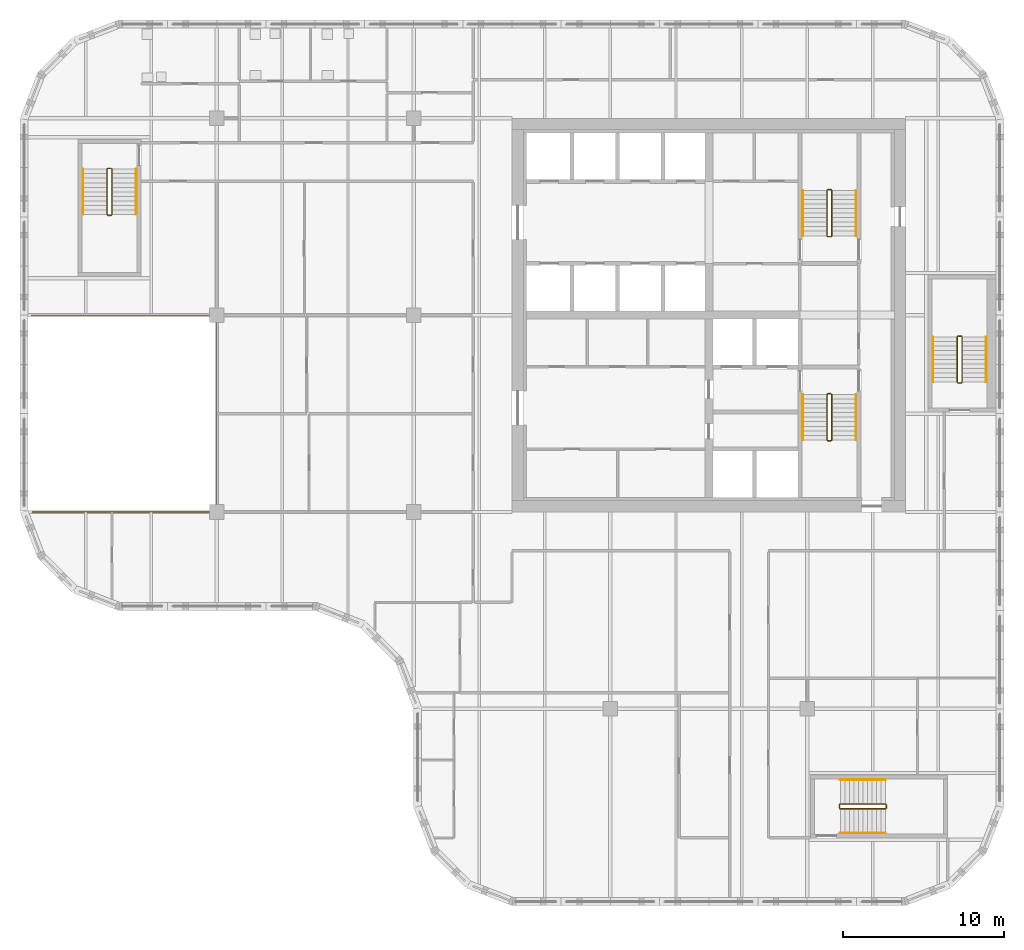
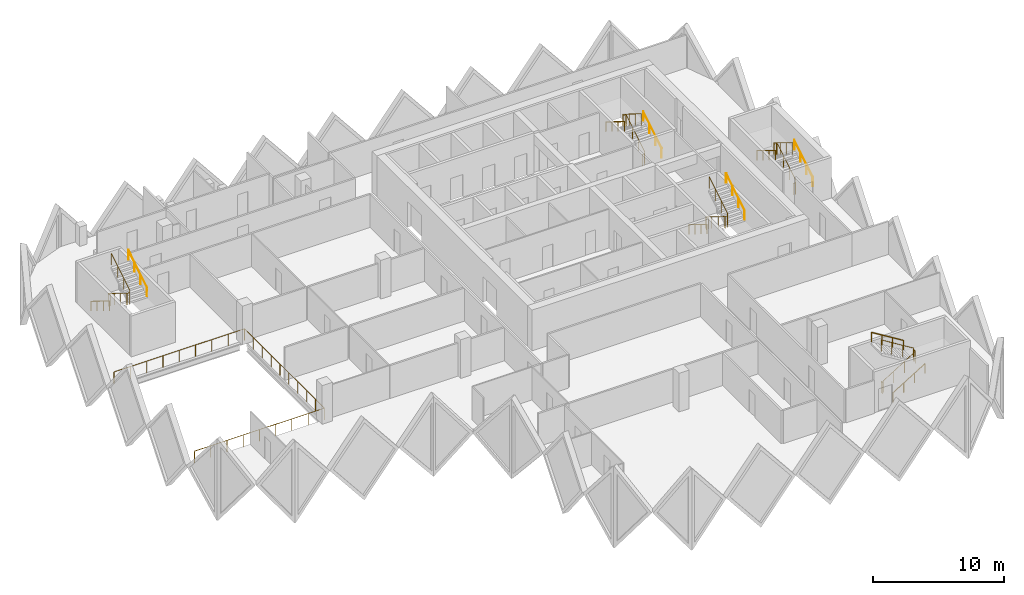
# One storey, part 12 of 13: 16 railings.
"""IFC4 building model written with IfcOpenShell, lengths in metres."""

from ifc_helpers import new_model, si_unit, direction, frame, origin, origin_2d, place, context, subcontext, project, spatial, circle, extrude, material, type_object, element, save


model = new_model("IFC4")

# Units and contexts
model_context = context("Model", 3, precision=1e-05, world=origin(), true_north=direction((0.0, 1.0)))
body_context = subcontext(model_context, "Body", "Model", "MODEL_VIEW")
ifc_project = project(units=[si_unit("LENGTHUNIT", "METRE"), si_unit("AREAUNIT", "SQUARE_METRE"), si_unit("VOLUMEUNIT", "CUBIC_METRE"), si_unit("PLANEANGLEUNIT", "RADIAN"), si_unit("MASSUNIT", "GRAM", prefix="KILO")], contexts=[model_context])

# Site, building, storey
site_placement = place(None, origin())
site = spatial("IfcSite", under=ifc_project, at=site_placement, CompositionType="ELEMENT")
building_placement = place(site_placement, origin())
building = spatial("IfcBuilding", under=site, at=building_placement, Name="Tessera Gate Towers", CompositionType="ELEMENT")
storey_placement = place(building_placement, frame((0.0, 0.0, 120.199951171875)))
storey = spatial("IfcBuildingStorey", under=building, at=storey_placement, Name="L29", CompositionType="ELEMENT", Elevation=120.199951171875)

# Railings
ifc_material_1 = material(Name="Toughened glass with stainless steel handrail", Category="steel")
railing_type_1 = type_object("IfcRailingType", Name="GUARD 1100 GLASS BALUSTRADE", PredefinedType="GUARDRAIL", material=ifc_material_1)
railing_1_placement = place(storey_placement, frame((0.750244140625, 24.39990234375, 0.0)))
element("IfcRailing", 1, at=railing_1_placement, inside=storey, type_object=railing_type_1, Name="Guard", PredefinedType="GUARDRAIL", context=body_context, shape_type="SweptSolid", body=[
    extrude(circle(Radius=0.02490234375, at=origin_2d()), frame((0.0, 0.0, 1.0751953125), z_axis=(1.0, 0.0, 0.0), x_axis=(0.0, 1.0, 0.0)), (0.0, 0.0, 1.0), 11.44970703125),
    extrude(circle(Radius=0.02490234375, at=origin_2d()), frame((11.44970703125, 0.0, 1.0751953125), z_axis=(0.0, 1.0, 0.0), x_axis=(-1.0, 0.0, 0.0)), (0.0, 0.0, 1.0), 12.2001953125),
    extrude(circle(Radius=0.02490234375, at=origin_2d()), frame((11.44970703125, 12.2001953125, 1.0751953125), z_axis=(-1.0, 0.0, 0.0), x_axis=(0.0, -1.0, 0.0)), (0.0, 0.0, 1.0), 11.5),
    extrude(circle(Radius=0.02490234375, at=origin_2d()), origin(), (0.0, 0.0, 1.0), 1.050048828125),
    extrude(circle(Radius=0.02490234375, at=origin_2d()), frame((1.43115234375, 0.0, 0.0)), (0.0, 0.0, 1.0), 1.050048828125),
    extrude(circle(Radius=0.02490234375, at=origin_2d()), frame((2.8623046875, 0.0, 0.0)), (0.0, 0.0, 1.0), 1.050048828125),
    extrude(circle(Radius=0.02490234375, at=origin_2d()), frame((4.293701171875, 0.0, 0.0)), (0.0, 0.0, 1.0), 1.050048828125),
    extrude(circle(Radius=0.02490234375, at=origin_2d()), frame((5.724853515625, 0.0, 0.0)), (0.0, 0.0, 1.0), 1.050048828125),
    extrude(circle(Radius=0.02490234375, at=origin_2d()), frame((7.156005859375, 0.0, 0.0)), (0.0, 0.0, 1.0), 1.050048828125),
    extrude(circle(Radius=0.02490234375, at=origin_2d()), frame((8.58740234375, 0.0, 0.0)), (0.0, 0.0, 1.0), 1.050048828125),
    extrude(circle(Radius=0.02490234375, at=origin_2d()), frame((10.0185546875, 0.0, 0.0)), (0.0, 0.0, 1.0), 1.050048828125),
    extrude(circle(Radius=0.02490234375, at=origin_2d()), frame((11.44970703125, 0.0, 0.0)), (0.0, 0.0, 1.0), 1.050048828125),
    extrude(circle(Radius=0.02490234375, at=origin_2d()), frame((11.44970703125, 1.35546875, 0.0)), (0.0, 0.0, 1.0), 1.050048828125),
    extrude(circle(Radius=0.02490234375, at=origin_2d()), frame((11.44970703125, 2.711181640625, 0.0)), (0.0, 0.0, 1.0), 1.050048828125),
    extrude(circle(Radius=0.02490234375, at=origin_2d()), frame((11.44970703125, 4.066650390625, 0.0)), (0.0, 0.0, 1.0), 1.050048828125),
    extrude(circle(Radius=0.02490234375, at=origin_2d()), frame((11.44970703125, 5.42236328125, 0.0)), (0.0, 0.0, 1.0), 1.050048828125),
    extrude(circle(Radius=0.02490234375, at=origin_2d()), frame((11.44970703125, 6.77783203125, 0.0)), (0.0, 0.0, 1.0), 1.050048828125),
    extrude(circle(Radius=0.02490234375, at=origin_2d()), frame((11.44970703125, 8.133544921875, 0.0)), (0.0, 0.0, 1.0), 1.050048828125),
    extrude(circle(Radius=0.02490234375, at=origin_2d()), frame((11.44970703125, 9.489013671875, 0.0)), (0.0, 0.0, 1.0), 1.050048828125),
    extrude(circle(Radius=0.02490234375, at=origin_2d()), frame((11.44970703125, 10.8447265625, 0.0)), (0.0, 0.0, 1.0), 1.050048828125),
    extrude(circle(Radius=0.02490234375, at=origin_2d()), frame((11.44970703125, 12.2001953125, 0.0)), (0.0, 0.0, 1.0), 1.050048828125),
    extrude(circle(Radius=0.02490234375, at=origin_2d()), frame((10.01220703125, 12.2001953125, 0.0)), (0.0, 0.0, 1.0), 1.050048828125),
    extrude(circle(Radius=0.02490234375, at=origin_2d()), frame((8.57470703125, 12.2001953125, 0.0)), (0.0, 0.0, 1.0), 1.050048828125),
    extrude(circle(Radius=0.02490234375, at=origin_2d()), frame((7.13720703125, 12.2001953125, 0.0)), (0.0, 0.0, 1.0), 1.050048828125),
    extrude(circle(Radius=0.02490234375, at=origin_2d()), frame((5.69970703125, 12.2001953125, 0.0)), (0.0, 0.0, 1.0), 1.050048828125),
    extrude(circle(Radius=0.02490234375, at=origin_2d()), frame((4.26220703125, 12.2001953125, 0.0)), (0.0, 0.0, 1.0), 1.050048828125),
    extrude(circle(Radius=0.02490234375, at=origin_2d()), frame((2.82470703125, 12.2001953125, 0.0)), (0.0, 0.0, 1.0), 1.050048828125),
    extrude(circle(Radius=0.02490234375, at=origin_2d()), frame((1.38720703125, 12.2001953125, 0.0)), (0.0, 0.0, 1.0), 1.050048828125),
    extrude(circle(Radius=0.02490234375, at=origin_2d()), frame((-0.05029296875, 12.2001953125, 0.0)), (0.0, 0.0, 1.0), 1.050048828125),
])
ifc_material_2 = material(Name="Steel 350W", Category="steel")
railing_type_2 = type_object("IfcRailingType", Name="STAIR GUARD 1100", PredefinedType="GUARDRAIL", material=ifc_material_2)
railing_2_placement = place(storey_placement, frame((50.27490234375, 31.72509765625, 0.0)))
element("IfcRailing", 2, at=railing_2_placement, inside=storey, type_object=railing_type_2, Name="L29 ST1 stair guard 1", PredefinedType="GUARDRAIL", context=body_context, shape_type="SweptSolid", body=[
    extrude(circle(Radius=0.02392578125, at=origin_2d()), frame((0.0, 0.0, 1.076171875), z_axis=(-1.0, 0.0, 0.0), x_axis=(0.0, -1.0, 0.0)), (0.0, 0.0, 1.0), 0.199951171875),
    extrude(circle(Radius=0.02392578125, at=origin_2d()), frame((-0.199951171875, 0.0, 1.076171875), z_axis=(-0.267953482034, -0.267953482034, 0.925419830635), x_axis=(0.707106781187, -0.707106781187, 0.0)), (0.0, 0.0, 1.0), 0.186767578125),
    extrude(circle(Radius=0.02392578125, at=origin_2d()), frame((-0.25, -0.050048828125, 1.2490234375), z_axis=(0.0, -0.851089632645, 0.525020415988), x_axis=(1.0, 0.0, 0.0)), (0.0, 0.0, 1.0), 3.2900390625),
    extrude(circle(Radius=0.02392578125, at=origin_2d()), frame((-0.25, -2.85009765625, 2.97607421875), z_axis=(0.707106781187, -0.707106781187, 0.0), x_axis=(0.707106781187, 0.707106781187, 0.0)), (0.0, 0.0, 1.0), 0.07080078125),
    extrude(circle(Radius=0.02392578125, at=origin_2d()), frame((-0.199951171875, -2.900146484375, 2.97607421875), z_axis=(1.0, 0.0, 0.0), x_axis=(0.0, 1.0, 0.0)), (0.0, 0.0, 1.0), 0.199951171875),
    extrude(circle(Radius=0.02392578125, at=origin_2d()), frame((0.0, -2.900146484375, 2.97607421875), z_axis=(0.268277960024, 0.268277960024, 0.925231793839), x_axis=(-0.707106781187, 0.707106781187, 0.0)), (0.0, 0.0, 1.0), 0.1865234375),
    extrude(circle(Radius=0.02392578125, at=origin_2d()), frame((0.050048828125, -2.85009765625, 3.14892578125), z_axis=(0.0, 0.851089632645, 0.525020415988), x_axis=(-1.0, 0.0, 0.0)), (0.0, 0.0, 1.0), 3.2900390625),
    extrude(circle(Radius=0.02099609375, at=origin_2d()), origin(), (0.0, 0.0, 1.0), 1.052001953125),
    extrude(circle(Radius=0.02099609375, at=origin_2d()), frame((-0.199951171875, 0.0, 0.0)), (0.0, 0.0, 1.0), 1.052001953125),
    extrude(circle(Radius=0.02099609375, at=origin_2d()), frame((-0.25, -0.050048828125, 0.1728515625)), (0.0, 0.0, 1.0), 1.052001953125),
    extrude(circle(Radius=0.02099609375, at=origin_2d()), frame((-0.25, -0.9833984375, 0.74853515625)), (0.0, 0.0, 1.0), 1.052001953125),
    extrude(circle(Radius=0.02099609375, at=origin_2d()), frame((-0.25, -1.916748046875, 1.324462890625)), (0.0, 0.0, 1.0), 1.052001953125),
    extrude(circle(Radius=0.02099609375, at=origin_2d()), frame((-0.25, -2.85009765625, 1.900146484375)), (0.0, 0.0, 1.0), 1.052001953125),
    extrude(circle(Radius=0.02099609375, at=origin_2d()), frame((-0.199951171875, -2.900146484375, 1.900146484375)), (0.0, 0.0, 1.0), 1.052001953125),
    extrude(circle(Radius=0.02099609375, at=origin_2d()), frame((0.0, -2.900146484375, 1.900146484375)), (0.0, 0.0, 1.0), 1.052001953125),
    extrude(circle(Radius=0.02099609375, at=origin_2d()), frame((0.050048828125, -2.85009765625, 2.07275390625)), (0.0, 0.0, 1.0), 1.052001953125),
    extrude(circle(Radius=0.02099609375, at=origin_2d()), frame((0.050048828125, -1.916748046875, 2.6484375)), (0.0, 0.0, 1.0), 1.052001953125),
    extrude(circle(Radius=0.02099609375, at=origin_2d()), frame((0.050048828125, -0.9833984375, 3.224365234375)), (0.0, 0.0, 1.0), 1.052001953125),
    extrude(circle(Radius=0.02099609375, at=origin_2d()), frame((0.050048828125, -0.050048828125, 3.800048828125)), (0.0, 0.0, 1.0), 1.052001953125),
])
railing_3_placement = place(storey_placement, frame((50.074951171875, 41.47509765625, 0.0)))
element("IfcRailing", 3, at=railing_3_placement, inside=storey, type_object=railing_type_2, Name="L29 ST2 stair guard 1", PredefinedType="GUARDRAIL", context=body_context, shape_type="SweptSolid", body=[
    extrude(circle(Radius=0.02392578125, at=origin_2d()), frame((0.0, 0.0, 1.076171875), z_axis=(1.0, 0.0, 0.0), x_axis=(0.0, 1.0, 0.0)), (0.0, 0.0, 1.0), 0.199951171875),
    extrude(circle(Radius=0.02392578125, at=origin_2d()), frame((0.199951171875, 0.0, 1.076171875), z_axis=(0.268047150085, 0.266739603011, 0.925743328097), x_axis=(-0.705375805398, 0.708833529934, 0.0)), (0.0, 0.0, 1.0), 0.186767578125),
    extrude(circle(Radius=0.02392578125, at=origin_2d()), frame((0.25, 0.0498046875, 1.2490234375), z_axis=(0.0, 0.851089632645, 0.525020415988), x_axis=(-1.0, 0.0, 0.0)), (0.0, 0.0, 1.0), 3.2900390625),
    extrude(circle(Radius=0.02392578125, at=origin_2d()), frame((0.25, 2.849853515625, 2.97607421875), z_axis=(-0.707106781187, 0.707106781187, 0.0), x_axis=(-0.707106781187, -0.707106781187, 0.0)), (0.0, 0.0, 1.0), 0.07080078125),
    extrude(circle(Radius=0.02392578125, at=origin_2d()), frame((0.199951171875, 2.89990234375, 2.97607421875), z_axis=(-1.0, 0.0, 0.0), x_axis=(0.0, -1.0, 0.0)), (0.0, 0.0, 1.0), 0.199951171875),
    extrude(circle(Radius=0.02392578125, at=origin_2d()), frame((0.0, 2.89990234375, 2.97607421875), z_axis=(-0.268277960024, -0.268277960024, 0.925231793839), x_axis=(0.707106781187, -0.707106781187, 0.0)), (0.0, 0.0, 1.0), 0.1865234375),
    extrude(circle(Radius=0.02392578125, at=origin_2d()), frame((-0.050048828125, 2.849853515625, 3.14892578125), z_axis=(0.0, -0.851089632645, 0.525020415988), x_axis=(1.0, 0.0, 0.0)), (0.0, 0.0, 1.0), 3.2900390625),
    extrude(circle(Radius=0.02099609375, at=origin_2d()), origin(), (0.0, 0.0, 1.0), 1.052001953125),
    extrude(circle(Radius=0.02099609375, at=origin_2d()), frame((0.199951171875, 0.0, 0.0)), (0.0, 0.0, 1.0), 1.052001953125),
    extrude(circle(Radius=0.02099609375, at=origin_2d()), frame((0.25, 0.0498046875, 0.1728515625)), (0.0, 0.0, 1.0), 1.052001953125),
    extrude(circle(Radius=0.02099609375, at=origin_2d()), frame((0.25, 0.983154296875, 0.74853515625)), (0.0, 0.0, 1.0), 1.052001953125),
    extrude(circle(Radius=0.02099609375, at=origin_2d()), frame((0.25, 1.91650390625, 1.324462890625)), (0.0, 0.0, 1.0), 1.052001953125),
    extrude(circle(Radius=0.02099609375, at=origin_2d()), frame((0.25, 2.849853515625, 1.900146484375)), (0.0, 0.0, 1.0), 1.052001953125),
    extrude(circle(Radius=0.02099609375, at=origin_2d()), frame((0.199951171875, 2.89990234375, 1.900146484375)), (0.0, 0.0, 1.0), 1.052001953125),
    extrude(circle(Radius=0.02099609375, at=origin_2d()), frame((0.0, 2.89990234375, 1.900146484375)), (0.0, 0.0, 1.0), 1.052001953125),
    extrude(circle(Radius=0.02099609375, at=origin_2d()), frame((-0.050048828125, 2.849853515625, 2.07275390625)), (0.0, 0.0, 1.0), 1.052001953125),
    extrude(circle(Radius=0.02099609375, at=origin_2d()), frame((-0.050048828125, 1.91650390625, 2.6484375)), (0.0, 0.0, 1.0), 1.052001953125),
    extrude(circle(Radius=0.02099609375, at=origin_2d()), frame((-0.050048828125, 0.983154296875, 3.224365234375)), (0.0, 0.0, 1.0), 1.052001953125),
    extrude(circle(Radius=0.02099609375, at=origin_2d()), frame((-0.050048828125, 0.0498046875, 3.800048828125)), (0.0, 0.0, 1.0), 1.052001953125),
])
railing_4_placement = place(storey_placement, frame((5.64990234375, 45.699951171875, 0.0)))
element("IfcRailing", 4, at=railing_4_placement, inside=storey, type_object=railing_type_2, Name="L29 ST3 stair guard 1", PredefinedType="GUARDRAIL", context=body_context, shape_type="SweptSolid", body=[
    extrude(circle(Radius=0.02392578125, at=origin_2d()), frame((0.0, 0.0, 1.076171875), z_axis=(-1.0, 0.0, 0.0), x_axis=(0.0, -1.0, 0.0)), (0.0, 0.0, 1.0), 0.199951171875),
    extrude(circle(Radius=0.02392578125, at=origin_2d()), frame((-0.199951171875, 0.0, 1.076171875), z_axis=(-0.267953482034, -0.267953482034, 0.925419830635), x_axis=(0.707106781187, -0.707106781187, 0.0)), (0.0, 0.0, 1.0), 0.186767578125),
    extrude(circle(Radius=0.02392578125, at=origin_2d()), frame((-0.25, -0.050048828125, 1.2490234375), z_axis=(0.0, -0.851069175582, 0.525053576669), x_axis=(1.0, 0.0, 0.0)), (0.0, 0.0, 1.0), 3.289794921875),
    extrude(circle(Radius=0.02392578125, at=origin_2d()), frame((-0.25, -2.849853515625, 2.97607421875), z_axis=(0.707106781187, -0.707106781187, 0.0), x_axis=(0.707106781187, 0.707106781187, 0.0)), (0.0, 0.0, 1.0), 0.07080078125),
    extrude(circle(Radius=0.02392578125, at=origin_2d()), frame((-0.199951171875, -2.89990234375, 2.97607421875), z_axis=(1.0, 0.0, 0.0), x_axis=(0.0, 1.0, 0.0)), (0.0, 0.0, 1.0), 0.199951171875),
    extrude(circle(Radius=0.02392578125, at=origin_2d()), frame((0.0, -2.89990234375, 2.97607421875), z_axis=(0.268277960024, 0.268277960024, 0.925231793839), x_axis=(-0.707106781187, 0.707106781187, 0.0)), (0.0, 0.0, 1.0), 0.1865234375),
    extrude(circle(Radius=0.02392578125, at=origin_2d()), frame((0.050048828125, -2.849853515625, 3.14892578125), z_axis=(0.0, 0.851069175582, 0.525053576669), x_axis=(-1.0, 0.0, 0.0)), (0.0, 0.0, 1.0), 3.289794921875),
    extrude(circle(Radius=0.02099609375, at=origin_2d()), origin(), (0.0, 0.0, 1.0), 1.052001953125),
    extrude(circle(Radius=0.02099609375, at=origin_2d()), frame((-0.199951171875, 0.0, 0.0)), (0.0, 0.0, 1.0), 1.052001953125),
    extrude(circle(Radius=0.02099609375, at=origin_2d()), frame((-0.25, -0.050048828125, 0.1728515625)), (0.0, 0.0, 1.0), 1.052001953125),
    extrude(circle(Radius=0.02099609375, at=origin_2d()), frame((-0.25, -0.9833984375, 0.74853515625)), (0.0, 0.0, 1.0), 1.052001953125),
    extrude(circle(Radius=0.02099609375, at=origin_2d()), frame((-0.25, -1.91650390625, 1.324462890625)), (0.0, 0.0, 1.0), 1.052001953125),
    extrude(circle(Radius=0.02099609375, at=origin_2d()), frame((-0.25, -2.849853515625, 1.900146484375)), (0.0, 0.0, 1.0), 1.052001953125),
    extrude(circle(Radius=0.02099609375, at=origin_2d()), frame((-0.199951171875, -2.89990234375, 1.900146484375)), (0.0, 0.0, 1.0), 1.052001953125),
    extrude(circle(Radius=0.02099609375, at=origin_2d()), frame((0.0, -2.89990234375, 1.900146484375)), (0.0, 0.0, 1.0), 1.052001953125),
    extrude(circle(Radius=0.02099609375, at=origin_2d()), frame((0.050048828125, -2.849853515625, 2.07275390625)), (0.0, 0.0, 1.0), 1.052001953125),
    extrude(circle(Radius=0.02099609375, at=origin_2d()), frame((0.050048828125, -1.91650390625, 2.6484375)), (0.0, 0.0, 1.0), 1.052001953125),
    extrude(circle(Radius=0.02099609375, at=origin_2d()), frame((0.050048828125, -0.9833984375, 3.224365234375)), (0.0, 0.0, 1.0), 1.052001953125),
    extrude(circle(Radius=0.02099609375, at=origin_2d()), frame((0.050048828125, -0.050048828125, 3.800048828125)), (0.0, 0.0, 1.0), 1.052001953125),
])
railing_5_placement = place(storey_placement, frame((50.800048828125, 6.25, 0.0)))
element("IfcRailing", 5, at=railing_5_placement, inside=storey, type_object=railing_type_2, Name="L29 ST4 stair guard 1", PredefinedType="GUARDRAIL", context=body_context, shape_type="SweptSolid", body=[
    extrude(circle(Radius=0.02392578125, at=origin_2d()), frame((0.0, 0.0, 1.076171875), z_axis=(0.0, -1.0, 0.0), x_axis=(1.0, 0.0, 0.0)), (0.0, 0.0, 1.0), 0.199951171875),
    extrude(circle(Radius=0.02392578125, at=origin_2d()), frame((0.0, -0.199951171875, 1.076171875), z_axis=(0.267953482034, -0.267953482034, 0.925419830635), x_axis=(0.707106781187, 0.707106781187, 0.0)), (0.0, 0.0, 1.0), 0.186767578125),
    extrude(circle(Radius=0.02392578125, at=origin_2d()), frame((0.050048828125, -0.25, 1.2490234375), z_axis=(0.851069175582, 0.0, 0.525053576669), x_axis=(0.0, 1.0, 0.0)), (0.0, 0.0, 1.0), 3.289794921875),
    extrude(circle(Radius=0.02392578125, at=origin_2d()), frame((2.849853515625, -0.25, 2.97607421875), z_axis=(0.707106781187, 0.707106781187, 0.0), x_axis=(-0.707106781187, 0.707106781187, 0.0)), (0.0, 0.0, 1.0), 0.07080078125),
    extrude(circle(Radius=0.02392578125, at=origin_2d()), frame((2.89990234375, -0.199951171875, 2.97607421875), z_axis=(0.0, 1.0, 0.0), x_axis=(-1.0, 0.0, 0.0)), (0.0, 0.0, 1.0), 0.199951171875),
    extrude(circle(Radius=0.02392578125, at=origin_2d()), frame((2.89990234375, 0.0, 2.97607421875), z_axis=(-0.268277960024, 0.268277960024, 0.925231793839), x_axis=(-0.707106781187, -0.707106781187, 0.0)), (0.0, 0.0, 1.0), 0.1865234375),
    extrude(circle(Radius=0.02392578125, at=origin_2d()), frame((2.849853515625, 0.050048828125, 3.14892578125), z_axis=(-0.851069175582, 0.0, 0.525053576669), x_axis=(0.0, -1.0, 0.0)), (0.0, 0.0, 1.0), 3.289794921875),
    extrude(circle(Radius=0.02099609375, at=origin_2d()), origin(), (0.0, 0.0, 1.0), 1.052001953125),
    extrude(circle(Radius=0.02099609375, at=origin_2d()), frame((0.0, -0.199951171875, 0.0)), (0.0, 0.0, 1.0), 1.052001953125),
    extrude(circle(Radius=0.02099609375, at=origin_2d()), frame((0.050048828125, -0.25, 0.1728515625)), (0.0, 0.0, 1.0), 1.052001953125),
    extrude(circle(Radius=0.02099609375, at=origin_2d()), frame((0.9833984375, -0.25, 0.74853515625)), (0.0, 0.0, 1.0), 1.052001953125),
    extrude(circle(Radius=0.02099609375, at=origin_2d()), frame((1.91650390625, -0.25, 1.324462890625)), (0.0, 0.0, 1.0), 1.052001953125),
    extrude(circle(Radius=0.02099609375, at=origin_2d()), frame((2.849853515625, -0.25, 1.900146484375)), (0.0, 0.0, 1.0), 1.052001953125),
    extrude(circle(Radius=0.02099609375, at=origin_2d()), frame((2.89990234375, -0.199951171875, 1.900146484375)), (0.0, 0.0, 1.0), 1.052001953125),
    extrude(circle(Radius=0.02099609375, at=origin_2d()), frame((2.89990234375, 0.0, 1.900146484375)), (0.0, 0.0, 1.0), 1.052001953125),
    extrude(circle(Radius=0.02099609375, at=origin_2d()), frame((2.849853515625, 0.050048828125, 2.07275390625)), (0.0, 0.0, 1.0), 1.052001953125),
    extrude(circle(Radius=0.02099609375, at=origin_2d()), frame((1.91650390625, 0.050048828125, 2.6484375)), (0.0, 0.0, 1.0), 1.052001953125),
    extrude(circle(Radius=0.02099609375, at=origin_2d()), frame((0.9833984375, 0.050048828125, 3.224365234375)), (0.0, 0.0, 1.0), 1.052001953125),
    extrude(circle(Radius=0.02099609375, at=origin_2d()), frame((0.050048828125, 0.050048828125, 3.800048828125)), (0.0, 0.0, 1.0), 1.052001953125),
])
railing_6_placement = place(storey_placement, frame((58.14990234375, 32.39990234375, 0.0)))
element("IfcRailing", 6, at=railing_6_placement, inside=storey, type_object=railing_type_2, Name="L29 ST5 stair guard 1", PredefinedType="GUARDRAIL", context=body_context, shape_type="SweptSolid", body=[
    extrude(circle(Radius=0.02392578125, at=origin_2d()), frame((0.0, 0.0, 1.076171875), z_axis=(1.0, 0.0, 0.0), x_axis=(0.0, 1.0, 0.0)), (0.0, 0.0, 1.0), 0.2001953125),
    extrude(circle(Radius=0.02392578125, at=origin_2d()), frame((0.2001953125, 0.0, 1.076171875), z_axis=(0.266739603011, 0.268047150085, 0.925743328097), x_axis=(-0.708833529934, 0.705375805398, 0.0)), (0.0, 0.0, 1.0), 0.186767578125),
    extrude(circle(Radius=0.02392578125, at=origin_2d()), frame((0.25, 0.050048828125, 1.2490234375), z_axis=(0.0, 0.851089632645, 0.525020415988), x_axis=(-1.0, 0.0, 0.0)), (0.0, 0.0, 1.0), 3.2900390625),
    extrude(circle(Radius=0.02392578125, at=origin_2d()), frame((0.25, 2.85009765625, 2.97607421875), z_axis=(-0.705375805398, 0.708833529934, 0.0), x_axis=(-0.708833529934, -0.705375805398, 0.0)), (0.0, 0.0, 1.0), 0.070556640625),
    extrude(circle(Radius=0.02392578125, at=origin_2d()), frame((0.2001953125, 2.900146484375, 2.97607421875), z_axis=(-1.0, 0.0, 0.0), x_axis=(0.0, -1.0, 0.0)), (0.0, 0.0, 1.0), 0.2001953125),
    extrude(circle(Radius=0.02392578125, at=origin_2d()), frame((0.0, 2.900146484375, 2.97607421875), z_axis=(-0.267062837333, -0.268371968888, 0.925556009775), x_axis=(0.708833529934, -0.705375805398, 0.0)), (0.0, 0.0, 1.0), 0.1865234375),
    extrude(circle(Radius=0.02392578125, at=origin_2d()), frame((-0.0498046875, 2.85009765625, 3.14892578125), z_axis=(0.0, -0.851089632645, 0.525020415988), x_axis=(1.0, 0.0, 0.0)), (0.0, 0.0, 1.0), 3.2900390625),
    extrude(circle(Radius=0.02099609375, at=origin_2d()), origin(), (0.0, 0.0, 1.0), 1.052001953125),
    extrude(circle(Radius=0.02099609375, at=origin_2d()), frame((0.2001953125, 0.0, 0.0)), (0.0, 0.0, 1.0), 1.052001953125),
    extrude(circle(Radius=0.02099609375, at=origin_2d()), frame((0.25, 0.050048828125, 0.1728515625)), (0.0, 0.0, 1.0), 1.052001953125),
    extrude(circle(Radius=0.02099609375, at=origin_2d()), frame((0.25, 0.9833984375, 0.74853515625)), (0.0, 0.0, 1.0), 1.052001953125),
    extrude(circle(Radius=0.02099609375, at=origin_2d()), frame((0.25, 1.916748046875, 1.324462890625)), (0.0, 0.0, 1.0), 1.052001953125),
    extrude(circle(Radius=0.02099609375, at=origin_2d()), frame((0.25, 2.85009765625, 1.900146484375)), (0.0, 0.0, 1.0), 1.052001953125),
    extrude(circle(Radius=0.02099609375, at=origin_2d()), frame((0.2001953125, 2.900146484375, 1.900146484375)), (0.0, 0.0, 1.0), 1.052001953125),
    extrude(circle(Radius=0.02099609375, at=origin_2d()), frame((0.0, 2.900146484375, 1.900146484375)), (0.0, 0.0, 1.0), 1.052001953125),
    extrude(circle(Radius=0.02099609375, at=origin_2d()), frame((-0.0498046875, 2.85009765625, 2.07275390625)), (0.0, 0.0, 1.0), 1.052001953125),
    extrude(circle(Radius=0.02099609375, at=origin_2d()), frame((-0.0498046875, 1.916748046875, 2.6484375)), (0.0, 0.0, 1.0), 1.052001953125),
    extrude(circle(Radius=0.02099609375, at=origin_2d()), frame((-0.0498046875, 0.9833984375, 3.224365234375)), (0.0, 0.0, 1.0), 1.052001953125),
    extrude(circle(Radius=0.02099609375, at=origin_2d()), frame((-0.0498046875, 0.050048828125, 3.800048828125)), (0.0, 0.0, 1.0), 1.052001953125),
])
ifc_material_3 = material(Name="Steel 350W", Category="steel")
railing_type_3 = type_object("IfcRailingType", Name="STAIR HANDRAIL 900", PredefinedType="HANDRAIL", material=ifc_material_3)
railing_7_placement = place(storey_placement, frame((48.52490234375, 31.675048828125, 0.1728515625)))
element("IfcRailing", 7, at=railing_7_placement, inside=storey, type_object=railing_type_3, Name="L29 ST1 stair handrail 1", PredefinedType="HANDRAIL", context=body_context, shape_type="SweptSolid", body=[
    extrude(circle(Radius=0.02392578125, at=origin_2d()), frame((0.0, 0.0, 0.8759765625), z_axis=(0.0, -0.851089632645, 0.525020415988), x_axis=(1.0, 0.0, 0.0)), (0.0, 0.0, 1.0), 3.2900390625),
    extrude(circle(Radius=0.02099609375, at=origin_2d()), origin(), (0.0, 0.0, 1.0), 0.851806640625),
    extrude(circle(Radius=0.02099609375, at=origin_2d()), frame((0.0, -0.933349609375, 0.57568359375)), (0.0, 0.0, 1.0), 0.851806640625),
    extrude(circle(Radius=0.02099609375, at=origin_2d()), frame((0.0, -1.86669921875, 1.151611328125)), (0.0, 0.0, 1.0), 0.851806640625),
    extrude(circle(Radius=0.02099609375, at=origin_2d()), frame((0.0, -2.800048828125, 1.727294921875)), (0.0, 0.0, 1.0), 0.851806640625),
])
for number, where, name in (
    (8, (51.824951171875, 28.875, 2.07275390625), "L29 ST1 stair handrail 2"),
    (9, (51.824951171875, 41.52490234375, 0.1728515625), "L29 ST2 stair handrail 1"),
):
    element("IfcRailing", number, at=place(storey_placement, frame(where)), inside=storey, type_object=railing_type_3, Name=name, PredefinedType="HANDRAIL", context=body_context, shape_type="SweptSolid", body=[
        extrude(circle(Radius=0.02392578125, at=origin_2d()), frame((0.0, 0.0, 0.8759765625), z_axis=(0.0, 0.851089632645, 0.525020415988), x_axis=(-1.0, 0.0, 0.0)), (0.0, 0.0, 1.0), 3.2900390625),
        extrude(circle(Radius=0.02099609375, at=origin_2d()), origin(), (0.0, 0.0, 1.0), 0.851806640625),
        extrude(circle(Radius=0.02099609375, at=origin_2d()), frame((0.0, 0.933349609375, 0.57568359375)), (0.0, 0.0, 1.0), 0.851806640625),
        extrude(circle(Radius=0.02099609375, at=origin_2d()), frame((0.0, 1.86669921875, 1.151611328125)), (0.0, 0.0, 1.0), 0.851806640625),
        extrude(circle(Radius=0.02099609375, at=origin_2d()), frame((0.0, 2.800048828125, 1.727294921875)), (0.0, 0.0, 1.0), 0.851806640625),
    ])
railing_8_placement = place(storey_placement, frame((48.52490234375, 44.324951171875, 2.07275390625)))
element("IfcRailing", 10, at=railing_8_placement, inside=storey, type_object=railing_type_3, Name="L29 ST2 stair handrail 2", PredefinedType="HANDRAIL", context=body_context, shape_type="SweptSolid", body=[
    extrude(circle(Radius=0.02392578125, at=origin_2d()), frame((0.0, 0.0, 0.8759765625), z_axis=(0.0, -0.851089632645, 0.525020415988), x_axis=(1.0, 0.0, 0.0)), (0.0, 0.0, 1.0), 3.2900390625),
    extrude(circle(Radius=0.02099609375, at=origin_2d()), origin(), (0.0, 0.0, 1.0), 0.851806640625),
    extrude(circle(Radius=0.02099609375, at=origin_2d()), frame((0.0, -0.933349609375, 0.57568359375)), (0.0, 0.0, 1.0), 0.851806640625),
    extrude(circle(Radius=0.02099609375, at=origin_2d()), frame((0.0, -1.86669921875, 1.151611328125)), (0.0, 0.0, 1.0), 0.851806640625),
    extrude(circle(Radius=0.02099609375, at=origin_2d()), frame((0.0, -2.800048828125, 1.727294921875)), (0.0, 0.0, 1.0), 0.851806640625),
])
railing_9_placement = place(storey_placement, frame((3.89990234375, 45.64990234375, 0.1728515625)))
element("IfcRailing", 11, at=railing_9_placement, inside=storey, type_object=railing_type_3, Name="L29 ST3 stair handrail 1", PredefinedType="HANDRAIL", context=body_context, shape_type="SweptSolid", body=[
    extrude(circle(Radius=0.02392578125, at=origin_2d()), frame((0.0, 0.0, 0.8759765625), z_axis=(0.0, -0.851069175582, 0.525053576669), x_axis=(1.0, 0.0, 0.0)), (0.0, 0.0, 1.0), 3.289794921875),
    extrude(circle(Radius=0.02099609375, at=origin_2d()), origin(), (0.0, 0.0, 1.0), 0.851806640625),
    extrude(circle(Radius=0.02099609375, at=origin_2d()), frame((0.0, -0.933349609375, 0.57568359375)), (0.0, 0.0, 1.0), 0.851806640625),
    extrude(circle(Radius=0.02099609375, at=origin_2d()), frame((0.0, -1.866455078125, 1.151611328125)), (0.0, 0.0, 1.0), 0.851806640625),
    extrude(circle(Radius=0.02099609375, at=origin_2d()), frame((0.0, -2.7998046875, 1.727294921875)), (0.0, 0.0, 1.0), 0.851806640625),
])
railing_10_placement = place(storey_placement, frame((7.199951171875, 42.85009765625, 2.07275390625)))
element("IfcRailing", 12, at=railing_10_placement, inside=storey, type_object=railing_type_3, Name="L29 ST3 stair handrail 2", PredefinedType="HANDRAIL", context=body_context, shape_type="SweptSolid", body=[
    extrude(circle(Radius=0.02392578125, at=origin_2d()), frame((0.0, 0.0, 0.8759765625), z_axis=(0.0, 0.851069175582, 0.525053576669), x_axis=(-1.0, 0.0, 0.0)), (0.0, 0.0, 1.0), 3.289794921875),
    extrude(circle(Radius=0.02099609375, at=origin_2d()), origin(), (0.0, 0.0, 1.0), 0.851806640625),
    extrude(circle(Radius=0.02099609375, at=origin_2d()), frame((0.0, 0.933349609375, 0.57568359375)), (0.0, 0.0, 1.0), 0.851806640625),
    extrude(circle(Radius=0.02099609375, at=origin_2d()), frame((0.0, 1.866455078125, 1.151611328125)), (0.0, 0.0, 1.0), 0.851806640625),
    extrude(circle(Radius=0.02099609375, at=origin_2d()), frame((0.0, 2.7998046875, 1.727294921875)), (0.0, 0.0, 1.0), 0.851806640625),
])
railing_11_placement = place(storey_placement, frame((50.85009765625, 4.5, 0.1728515625)))
element("IfcRailing", 13, at=railing_11_placement, inside=storey, type_object=railing_type_3, Name="L29 ST4 stair handrail 1", PredefinedType="HANDRAIL", context=body_context, shape_type="SweptSolid", body=[
    extrude(circle(Radius=0.02392578125, at=origin_2d()), frame((0.0, 0.0, 0.8759765625), z_axis=(0.851069175582, 0.0, 0.525053576669), x_axis=(0.0, 1.0, 0.0)), (0.0, 0.0, 1.0), 3.289794921875),
    extrude(circle(Radius=0.02099609375, at=origin_2d()), origin(), (0.0, 0.0, 1.0), 0.851806640625),
    extrude(circle(Radius=0.02099609375, at=origin_2d()), frame((0.933349609375, 0.0, 0.57568359375)), (0.0, 0.0, 1.0), 0.851806640625),
    extrude(circle(Radius=0.02099609375, at=origin_2d()), frame((1.866455078125, 0.0, 1.151611328125)), (0.0, 0.0, 1.0), 0.851806640625),
    extrude(circle(Radius=0.02099609375, at=origin_2d()), frame((2.7998046875, 0.0, 1.727294921875)), (0.0, 0.0, 1.0), 0.851806640625),
])
railing_12_placement = place(storey_placement, frame((53.64990234375, 7.800048828125, 2.07275390625)))
element("IfcRailing", 14, at=railing_12_placement, inside=storey, type_object=railing_type_3, Name="L29 ST4 stair handrail 2", PredefinedType="HANDRAIL", context=body_context, shape_type="SweptSolid", body=[
    extrude(circle(Radius=0.02392578125, at=origin_2d()), frame((0.0, 0.0, 0.8759765625), z_axis=(-0.851069175582, 0.0, 0.525053576669), x_axis=(0.0, -1.0, 0.0)), (0.0, 0.0, 1.0), 3.289794921875),
    extrude(circle(Radius=0.02099609375, at=origin_2d()), origin(), (0.0, 0.0, 1.0), 0.851806640625),
    extrude(circle(Radius=0.02099609375, at=origin_2d()), frame((-0.933349609375, 0.0, 0.57568359375)), (0.0, 0.0, 1.0), 0.851806640625),
    extrude(circle(Radius=0.02099609375, at=origin_2d()), frame((-1.866455078125, 0.0, 1.151611328125)), (0.0, 0.0, 1.0), 0.851806640625),
    extrude(circle(Radius=0.02099609375, at=origin_2d()), frame((-2.7998046875, 0.0, 1.727294921875)), (0.0, 0.0, 1.0), 0.851806640625),
])
railing_13_placement = place(storey_placement, frame((59.89990234375, 32.449951171875, 0.1728515625)))
element("IfcRailing", 15, at=railing_13_placement, inside=storey, type_object=railing_type_3, Name="L29 ST5 stair handrail 1", PredefinedType="HANDRAIL", context=body_context, shape_type="SweptSolid", body=[
    extrude(circle(Radius=0.02392578125, at=origin_2d()), frame((0.0, 0.0, 0.8759765625), z_axis=(0.0, 0.851089632645, 0.525020415988), x_axis=(-1.0, 0.0, 0.0)), (0.0, 0.0, 1.0), 3.2900390625),
    extrude(circle(Radius=0.02099609375, at=origin_2d()), origin(), (0.0, 0.0, 1.0), 0.851806640625),
    extrude(circle(Radius=0.02099609375, at=origin_2d()), frame((0.0, 0.933349609375, 0.57568359375)), (0.0, 0.0, 1.0), 0.851806640625),
    extrude(circle(Radius=0.02099609375, at=origin_2d()), frame((0.0, 1.86669921875, 1.151611328125)), (0.0, 0.0, 1.0), 0.851806640625),
    extrude(circle(Radius=0.02099609375, at=origin_2d()), frame((0.0, 2.800048828125, 1.727294921875)), (0.0, 0.0, 1.0), 0.851806640625),
])
railing_14_placement = place(storey_placement, frame((56.60009765625, 35.25, 2.07275390625)))
element("IfcRailing", 16, at=railing_14_placement, inside=storey, type_object=railing_type_3, Name="L29 ST5 stair handrail 2", PredefinedType="HANDRAIL", context=body_context, shape_type="SweptSolid", body=[
    extrude(circle(Radius=0.02392578125, at=origin_2d()), frame((0.0, 0.0, 0.8759765625), z_axis=(0.0, -0.851089632645, 0.525020415988), x_axis=(1.0, 0.0, 0.0)), (0.0, 0.0, 1.0), 3.2900390625),
    extrude(circle(Radius=0.02099609375, at=origin_2d()), origin(), (0.0, 0.0, 1.0), 0.851806640625),
    extrude(circle(Radius=0.02099609375, at=origin_2d()), frame((0.0, -0.933349609375, 0.57568359375)), (0.0, 0.0, 1.0), 0.851806640625),
    extrude(circle(Radius=0.02099609375, at=origin_2d()), frame((0.0, -1.86669921875, 1.151611328125)), (0.0, 0.0, 1.0), 0.851806640625),
    extrude(circle(Radius=0.02099609375, at=origin_2d()), frame((0.0, -2.800048828125, 1.727294921875)), (0.0, 0.0, 1.0), 0.851806640625),
])

save(model, "model.ifc")
